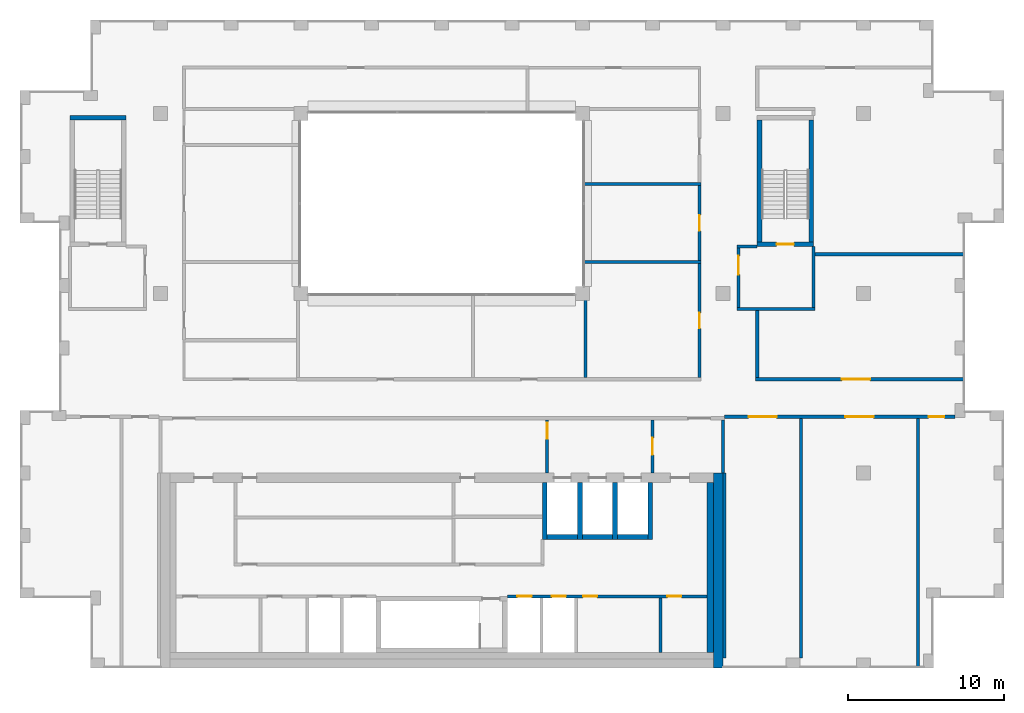
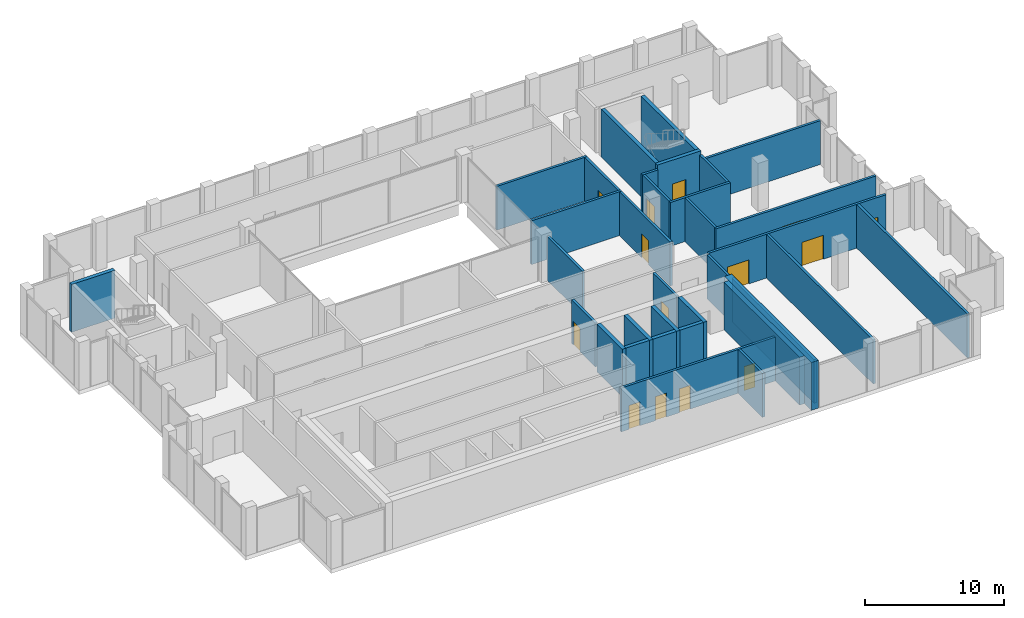
# One storey, part 12 of 15: 34 walls, 14 doors, 14 openings.
"""IFC4 building model written with IfcOpenShell, lengths in metres."""

from ifc_helpers import new_model, si_unit, direction, frame, frame_2d, origin, place, context, subcontext, project, spatial, rectangle, extrude, material, layer, layer_set, type_object, element, fill, save


model = new_model("IFC4")

# Units and contexts
model_context = context("Model", 3, precision=1e-05, world=origin(), true_north=direction((0.0, 1.0)))
body_context = subcontext(model_context, "Body", "Model", "MODEL_VIEW")
ifc_project = project(units=[si_unit("LENGTHUNIT", "METRE"), si_unit("AREAUNIT", "SQUARE_METRE"), si_unit("VOLUMEUNIT", "CUBIC_METRE"), si_unit("PLANEANGLEUNIT", "RADIAN"), si_unit("MASSUNIT", "GRAM", prefix="KILO")], contexts=[model_context])

# Site, building, storey
site_placement = place(None, origin())
site = spatial("IfcSite", under=ifc_project, at=site_placement, CompositionType="ELEMENT")
building_placement = place(site_placement, origin())
building = spatial("IfcBuilding", under=site, at=building_placement, Name="Brigalow Station Residences", CompositionType="ELEMENT")
storey_placement = place(building_placement, frame((0.0, 0.0, 240.0)))
storey = spatial("IfcBuildingStorey", under=building, at=storey_placement, Name="L69", CompositionType="ELEMENT", Elevation=240.0)

# Walls
ifc_material_1 = material(Name="Concrete C50", Category="concrete")
ifc_layer_1 = layer(ifc_material_1, 0.300048828125)
ifc_layer_set_1 = layer_set([ifc_layer_1], Name="CORE SHEAR WALL 300 C50")
wall_type_1 = type_object("IfcWallType", Name="CORE SHEAR WALL 300 C50", PredefinedType="SHEAR", material=ifc_layer_set_1)
wall_1_placement = place(storey_placement, frame((42.75, 8.39990234375, 0.0), z_axis=(0.0, 0.0, 1.0), x_axis=(1.0, 0.0, 0.0)))
element("IfcWall", 1, at=wall_1_placement, inside=storey, type_object=wall_type_1, Name="CORE WALL SH-FF1-S L69", PredefinedType="SHEAR", context=body_context, shape_type="SweptSolid", body=[
    extrude(rectangle(XDim=1.949951171875, YDim=0.300048828125, at=frame_2d((0.97509765625, 0.0))), origin(), (0.0, 0.0, 1.0), 4.199951171875),
])
wall_2_placement = place(storey_placement, frame((42.60009765625, 8.25, 0.0), z_axis=(0.0, 0.0, 1.0), x_axis=(0.0, 1.0, 0.0)))
element("IfcWall", 2, at=wall_2_placement, inside=storey, type_object=wall_type_1, Name="CORE WALL SH-FF1-W L69", PredefinedType="SHEAR", context=body_context, shape_type="SweptSolid", body=[
    extrude(rectangle(XDim=3.64990234375, YDim=0.300048828125, at=frame_2d((1.824951171875, 0.0))), origin(), (0.0, 0.0, 1.0), 4.199951171875),
])
wall_3_placement = place(storey_placement, frame((45.0, 8.39990234375, 0.0), z_axis=(0.0, 0.0, 1.0), x_axis=(1.0, 0.0, 0.0)))
element("IfcWall", 3, at=wall_3_placement, inside=storey, type_object=wall_type_1, Name="CORE WALL SH-FF2-S L69", PredefinedType="SHEAR", context=body_context, shape_type="SweptSolid", body=[
    extrude(rectangle(XDim=1.949951171875, YDim=0.300048828125, at=frame_2d((0.97509765625, 0.0))), origin(), (0.0, 0.0, 1.0), 4.199951171875),
])
wall_4_placement = place(storey_placement, frame((44.85009765625, 8.25, 0.0), z_axis=(0.0, 0.0, 1.0), x_axis=(0.0, 1.0, 0.0)))
element("IfcWall", 4, at=wall_4_placement, inside=storey, type_object=wall_type_1, Name="CORE WALL SH-FF2-W L69", PredefinedType="SHEAR", context=body_context, shape_type="SweptSolid", body=[
    extrude(rectangle(XDim=3.64990234375, YDim=0.300048828125, at=frame_2d((1.824951171875, 0.0))), origin(), (0.0, 0.0, 1.0), 4.199951171875),
])
wall_5_placement = place(storey_placement, frame((47.25, 8.39990234375, 0.0), z_axis=(0.0, 0.0, 1.0), x_axis=(1.0, 0.0, 0.0)))
element("IfcWall", 5, at=wall_5_placement, inside=storey, type_object=wall_type_1, Name="CORE WALL SH-SL1-S L69", PredefinedType="SHEAR", context=body_context, shape_type="SweptSolid", body=[
    extrude(rectangle(XDim=1.949951171875, YDim=0.300048828125, at=frame_2d((0.97509765625, 0.0))), origin(), (0.0, 0.0, 1.0), 4.199951171875),
])
for number, where, z_axis, x_axis, name in (
    (6, (47.10009765625, 8.25, 0.0), (0.0, 0.0, 1.0), (0.0, 1.0, 0.0), "CORE WALL SH-SL1-W L69"),
    (7, (49.35009765625, 8.25, 0.0), (0.0, 0.0, 1.0), (0.0, 1.0, 0.0), "CORE WALL SH-SL1-E L69"),
):
    element("IfcWall", number, at=place(storey_placement, frame(where, z_axis=z_axis, x_axis=x_axis)), inside=storey, type_object=wall_type_1, Name=name, PredefinedType="SHEAR", context=body_context, shape_type="SweptSolid", body=[
        extrude(rectangle(XDim=3.64990234375, YDim=0.300048828125, at=frame_2d((1.824951171875, 0.0))), origin(), (0.0, 0.0, 1.0), 4.199951171875),
    ])
wall_6_placement = place(storey_placement, frame((12.199951171875, 35.25, 0.0), z_axis=(0.0, 0.0, 1.0), x_axis=(1.0, 0.0, 0.0)))
element("IfcWall", 8, at=wall_6_placement, inside=storey, type_object=wall_type_1, Name="CORE WALL ST-S1-N L69", PredefinedType="SHEAR", context=body_context, shape_type="SweptSolid", body=[
    extrude(rectangle(XDim=3.60009765625, YDim=0.300048828125, at=frame_2d((1.800048828125, 0.0))), origin(), (0.0, 0.0, 1.0), 4.199951171875),
])

# Wall, opening, door
wall_7_placement = place(storey_placement, frame((56.199951171875, 27.14990234375, 0.0), z_axis=(0.0, 0.0, 1.0), x_axis=(1.0, 0.0, 0.0)))
wall_7 = element("IfcWall", 9, at=wall_7_placement, inside=storey, type_object=wall_type_1, Name="CORE WALL ST-S3-S L69", PredefinedType="SHEAR", context=body_context, shape_type="SweptSolid", body=[
    extrude(rectangle(XDim=3.60009765625, YDim=0.300048828125, at=frame_2d((1.800048828125, 0.0))), origin(), (0.0, 0.0, 1.0), 4.199951171875),
])
opening_1_placement = place(wall_7_placement, frame((1.25, 0.0, 0.0)))
opening_1 = element("IfcOpeningElement", 10, at=opening_1_placement, cuts=wall_7, Name="Opening D-5018", PredefinedType="OPENING", context=body_context, shape_type="SweptSolid", body=[
    extrude(rectangle(XDim=1.10009765625, YDim=2.10009765625, at=frame_2d((0.550048828125, 1.050048828125))), frame((0.0, 0.16015625, 0.0), z_axis=(0.0, -1.0, 0.0), x_axis=(1.0, 0.0, 0.0)), (0.0, 0.0, 1.0), 0.320068359375),
])
ifc_material_2 = material(Name="Steel fire door leaf in steel frame", Category="steel")
door_type_1 = type_object("IfcDoorType", Name="STAIR DOOR 1100 x 2100 FD60S", OperationType="SINGLE_SWING_LEFT", PredefinedType="DOOR", material=ifc_material_2)
door_1_placement = place(opening_1_placement, origin())
door_1 = element("IfcDoor", 11, at=door_1_placement, inside=storey, type_object=door_type_1, Name="D-5018", OperationType="SINGLE_SWING_RIGHT", OverallHeight=2.10009765625, OverallWidth=1.10009765625, PredefinedType="DOOR", context=body_context, shape_type="SweptSolid", body=[
    extrude(rectangle(XDim=1.10009765625, YDim=2.10009765625, at=frame_2d((0.550048828125, 1.050048828125))), frame((0.0, 0.02490234375, 0.0), z_axis=(0.0, -1.0, 0.0), x_axis=(1.0, 0.0, 0.0)), (0.0, 0.0, 1.0), 0.050048828125),
])
fill(opening_1, door_1)

# Walls
for number, where, z_axis, x_axis, name in (
    (12, (56.35009765625, 27.300048828125, 0.0), (0.0, 0.0, 1.0), (0.0, 1.0, 0.0), "CORE WALL ST-S3-W L69"),
    (13, (59.64990234375, 27.300048828125, 0.0), (0.0, 0.0, 1.0), (0.0, 1.0, 0.0), "CORE WALL ST-S3-E L69"),
):
    element("IfcWall", number, at=place(storey_placement, frame(where, z_axis=z_axis, x_axis=x_axis)), inside=storey, type_object=wall_type_1, Name=name, PredefinedType="SHEAR", context=body_context, shape_type="SweptSolid", body=[
        extrude(rectangle(XDim=7.800048828125, YDim=0.300048828125, at=frame_2d((3.89990234375, 0.0))), origin(), (0.0, 0.0, 1.0), 4.199951171875),
    ])
ifc_material_3 = material(Name="Concrete C50", Category="concrete")
ifc_layer_2 = layer(ifc_material_3, 0.39990234375)
ifc_layer_set_2 = layer_set([ifc_layer_2], Name="CORE SHEAR WALL 400 C50")
wall_type_2 = type_object("IfcWallType", Name="CORE SHEAR WALL 400 C50", PredefinedType="SHEAR", material=ifc_layer_set_2)
wall_8_placement = place(storey_placement, frame((53.199951171875, 1.0, 0.0), z_axis=(0.0, 0.0, 1.0), x_axis=(0.0, 1.0, 0.0)))
element("IfcWall", 14, at=wall_8_placement, inside=storey, type_object=wall_type_2, Name="CORE WALL LIN-E L69", PredefinedType="SHEAR", context=body_context, shape_type="SweptSolid", body=[
    extrude(rectangle(XDim=10.89990234375, YDim=0.39990234375, at=frame_2d((5.449951171875, 0.0))), origin(), (0.0, 0.0, 1.0), 4.199951171875),
])
ifc_material_4 = material(Name="Concrete C50", Category="concrete")
ifc_layer_3 = layer(ifc_material_4, 0.60009765625)
ifc_layer_set_3 = layer_set([ifc_layer_3], Name="CORE SHEAR WALL 600 C50")
wall_type_3 = type_object("IfcWallType", Name="CORE SHEAR WALL 600 C50", PredefinedType="SHEAR", material=ifc_layer_set_3)
wall_9_placement = place(storey_placement, frame((53.699951171875, 0.0, 0.0), z_axis=(0.0, 0.0, 1.0), x_axis=(0.0, 1.0, 0.0)))
element("IfcWall", 15, at=wall_9_placement, inside=storey, type_object=wall_type_3, Name="CORE WALL OUT-E L69", PredefinedType="SHEAR", context=body_context, shape_type="SweptSolid", body=[
    extrude(rectangle(XDim=12.5, YDim=0.60009765625, at=frame_2d((6.25, 0.0))), origin(), (0.0, 0.0, 1.0), 4.199951171875),
])

# Wall, openings, doors
ifc_material_5 = material(Name="Concrete blockwork", Category="masonry")
ifc_layer_4 = layer(ifc_material_5, 0.199951171875)
ifc_layer_set_4 = layer_set([ifc_layer_4], Name="FIRE RATED CORE PARTITION 200")
wall_type_4 = type_object("IfcWallType", Name="FIRE RATED CORE PARTITION 200", PredefinedType="PARTITIONING", material=ifc_layer_set_4)
wall_10_placement = place(storey_placement, frame((40.199951171875, 4.60009765625, 0.0), z_axis=(0.0, 0.0, 1.0), x_axis=(1.0, 0.0, 0.0)))
wall_10 = element("IfcWall", 16, at=wall_10_placement, inside=storey, type_object=wall_type_4, Name="PW-5002", PredefinedType="PARTITIONING", context=body_context, shape_type="SweptSolid", body=[
    extrude(rectangle(XDim=12.800048828125, YDim=0.199951171875, at=frame_2d((6.39990234375, 0.0))), origin(), (0.0, 0.0, 1.0), 3.85009765625),
])
opening_2_placement = place(wall_10_placement, frame((4.85009765625, 0.0, 0.0)))
opening_2 = element("IfcOpeningElement", 17, at=opening_2_placement, cuts=wall_10, Name="Opening D-5005", PredefinedType="OPENING", context=body_context, shape_type="SweptSolid", body=[
    extrude(rectangle(XDim=0.89990234375, YDim=2.10009765625, at=frame_2d((0.449951171875, 1.050048828125))), frame((0.0, 0.10986328125, 0.0), z_axis=(0.0, -1.0, 0.0), x_axis=(1.0, 0.0, 0.0)), (0.0, 0.0, 1.0), 0.219970703125),
])
opening_3_placement = place(wall_10_placement, frame((10.25, 0.0, 0.0)))
opening_3 = element("IfcOpeningElement", 18, at=opening_3_placement, cuts=wall_10, Name="Opening D-5166", PredefinedType="OPENING", context=body_context, shape_type="SweptSolid", body=[
    extrude(rectangle(XDim=0.89990234375, YDim=2.10009765625, at=frame_2d((0.449951171875, 1.050048828125))), frame((0.0, 0.10986328125, 0.0), z_axis=(0.0, -1.0, 0.0), x_axis=(1.0, 0.0, 0.0)), (0.0, 0.0, 1.0), 0.219970703125),
])
opening_4_placement = place(wall_10_placement, frame((0.64990234375, 0.0, 0.0)))
opening_4 = element("IfcOpeningElement", 19, at=opening_4_placement, cuts=wall_10, Name="Opening D-5009", PredefinedType="OPENING", context=body_context, shape_type="SweptSolid", body=[
    extrude(rectangle(XDim=0.89990234375, YDim=2.10009765625, at=frame_2d((0.449951171875, 1.050048828125))), frame((0.0, 0.10986328125, 0.0), z_axis=(0.0, -1.0, 0.0), x_axis=(1.0, 0.0, 0.0)), (0.0, 0.0, 1.0), 0.219970703125),
])
opening_5_placement = place(wall_10_placement, frame((2.85009765625, 0.0, 0.0)))
opening_5 = element("IfcOpeningElement", 20, at=opening_5_placement, cuts=wall_10, Name="Opening D-5010", PredefinedType="OPENING", context=body_context, shape_type="SweptSolid", body=[
    extrude(rectangle(XDim=0.89990234375, YDim=2.10009765625, at=frame_2d((0.449951171875, 1.050048828125))), frame((0.0, 0.10986328125, 0.0), z_axis=(0.0, -1.0, 0.0), x_axis=(1.0, 0.0, 0.0)), (0.0, 0.0, 1.0), 0.219970703125),
])
ifc_material_6 = material(Name="Steel fire door leaf in steel frame", Category="steel")
door_type_2 = type_object("IfcDoorType", Name="PLANT ROOM DOOR 900 x 2100 FD60", OperationType="SINGLE_SWING_LEFT", PredefinedType="DOOR", material=ifc_material_6)
door_2_placement = place(opening_2_placement, frame((0.89990234375, 0.0, 0.0), z_axis=(0.0, 0.0, 1.0), x_axis=(-1.0, 0.0, 0.0)))
door_2 = element("IfcDoor", 21, at=door_2_placement, inside=storey, type_object=door_type_2, Name="D-5005", OperationType="SINGLE_SWING_RIGHT", OverallHeight=2.10009765625, OverallWidth=0.89990234375, PredefinedType="DOOR", context=body_context, shape_type="SweptSolid", body=[
    extrude(rectangle(XDim=0.89990234375, YDim=2.10009765625, at=frame_2d((0.449951171875, 1.050048828125))), frame((0.0, 0.02490234375, 0.0), z_axis=(0.0, -1.0, 0.0), x_axis=(1.0, 0.0, 0.0)), (0.0, 0.0, 1.0), 0.050048828125),
])
fill(opening_2, door_2)
door_3_placement = place(opening_3_placement, frame((0.89990234375, 0.0, 0.0), z_axis=(0.0, 0.0, 1.0), x_axis=(-1.0, 0.0, 0.0)))
door_3 = element("IfcDoor", 22, at=door_3_placement, inside=storey, type_object=door_type_2, Name="D-5166", OperationType="SINGLE_SWING_RIGHT", OverallHeight=2.10009765625, OverallWidth=0.89990234375, PredefinedType="DOOR", context=body_context, shape_type="SweptSolid", body=[
    extrude(rectangle(XDim=0.89990234375, YDim=2.10009765625, at=frame_2d((0.449951171875, 1.050048828125))), frame((0.0, 0.02490234375, 0.0), z_axis=(0.0, -1.0, 0.0), x_axis=(1.0, 0.0, 0.0)), (0.0, 0.0, 1.0), 0.050048828125),
])
fill(opening_3, door_3)
ifc_material_7 = material(Name="Steel fire door leaf in steel frame", Category="steel")
door_type_3 = type_object("IfcDoorType", Name="RISER ACCESS DOOR 900 x 2100 FD120", OperationType="SINGLE_SWING_LEFT", PredefinedType="DOOR", material=ifc_material_7)
door_4_placement = place(opening_4_placement, frame((0.89990234375, 0.0, 0.0), z_axis=(0.0, 0.0, 1.0), x_axis=(-1.0, 0.0, 0.0)))
door_4 = element("IfcDoor", 23, at=door_4_placement, inside=storey, type_object=door_type_3, Name="D-5009", OperationType="SINGLE_SWING_LEFT", OverallHeight=2.10009765625, OverallWidth=0.89990234375, PredefinedType="DOOR", context=body_context, shape_type="SweptSolid", body=[
    extrude(rectangle(XDim=0.89990234375, YDim=2.10009765625, at=frame_2d((0.449951171875, 1.050048828125))), frame((0.0, 0.02490234375, 0.0), z_axis=(0.0, -1.0, 0.0), x_axis=(1.0, 0.0, 0.0)), (0.0, 0.0, 1.0), 0.050048828125),
])
fill(opening_4, door_4)
door_5_placement = place(opening_5_placement, frame((0.89990234375, 0.0, 0.0), z_axis=(0.0, 0.0, 1.0), x_axis=(-1.0, 0.0, 0.0)))
door_5 = element("IfcDoor", 24, at=door_5_placement, inside=storey, type_object=door_type_3, Name="D-5010", OperationType="SINGLE_SWING_RIGHT", OverallHeight=2.10009765625, OverallWidth=0.89990234375, PredefinedType="DOOR", context=body_context, shape_type="SweptSolid", body=[
    extrude(rectangle(XDim=0.89990234375, YDim=2.10009765625, at=frame_2d((0.449951171875, 1.050048828125))), frame((0.0, 0.02490234375, 0.0), z_axis=(0.0, -1.0, 0.0), x_axis=(1.0, 0.0, 0.0)), (0.0, 0.0, 1.0), 0.050048828125),
])
fill(opening_5, door_5)

# Walls
wall_11_placement = place(storey_placement, frame((54.89990234375, 23.0, 0.0), z_axis=(0.0, 0.0, 1.0), x_axis=(1.0, 0.0, 0.0)))
element("IfcWall", 25, at=wall_11_placement, inside=storey, type_object=wall_type_4, Name="PW-5024", PredefinedType="PARTITIONING", context=body_context, shape_type="SweptSolid", body=[
    extrude(rectangle(XDim=5.0, YDim=0.199951171875, at=frame_2d((2.5, 0.0))), origin(), (0.0, 0.0, 1.0), 3.85009765625),
])
wall_12_placement = place(storey_placement, frame((54.89990234375, 27.0, 0.0), z_axis=(0.0, 0.0, 1.0), x_axis=(1.0, 0.0, 0.0)))
element("IfcWall", 26, at=wall_12_placement, inside=storey, type_object=wall_type_4, Name="PW-5026", PredefinedType="PARTITIONING", context=body_context, shape_type="SweptSolid", body=[
    extrude(rectangle(XDim=1.300048828125, YDim=0.199951171875, at=frame_2d((0.64990234375, 0.0))), origin(), (0.0, 0.0, 1.0), 3.85009765625),
])
wall_13_placement = place(storey_placement, frame((50.0, 1.0, 0.0), z_axis=(0.0, 0.0, 1.0), x_axis=(0.0, 1.0, 0.0)))
element("IfcWall", 27, at=wall_13_placement, inside=storey, type_object=wall_type_4, Name="PW-5335", PredefinedType="PARTITIONING", context=body_context, shape_type="SweptSolid", body=[
    extrude(rectangle(XDim=3.5, YDim=0.199951171875, at=frame_2d((1.75, 0.0))), origin(), (0.0, 0.0, 1.0), 3.85009765625),
])

# Wall, opening, door
wall_14_placement = place(storey_placement, frame((42.75, 12.5, 0.0), z_axis=(0.0, 0.0, 1.0), x_axis=(0.0, 1.0, 0.0)))
wall_14 = element("IfcWall", 28, at=wall_14_placement, inside=storey, type_object=wall_type_4, Name="PW-5014", PredefinedType="PARTITIONING", context=body_context, shape_type="SweptSolid", body=[
    extrude(rectangle(XDim=3.39990234375, YDim=0.199951171875, at=frame_2d((1.699951171875, 0.0))), origin(), (0.0, 0.0, 1.0), 3.85009765625),
])
opening_6_placement = place(wall_14_placement, frame((2.199951171875, 0.0, 0.0)))
opening_6 = element("IfcOpeningElement", 29, at=opening_6_placement, cuts=wall_14, Name="Opening D-5013", PredefinedType="OPENING", context=body_context, shape_type="SweptSolid", body=[
    extrude(rectangle(XDim=1.0, YDim=2.10009765625, at=frame_2d((0.5, 1.050048828125))), frame((0.0, 0.10986328125, 0.0), z_axis=(0.0, -1.0, 0.0), x_axis=(1.0, 0.0, 0.0)), (0.0, 0.0, 1.0), 0.219970703125),
])
ifc_material_8 = material(Name="Steel fire door leaf in steel frame", Category="steel")
door_type_4 = type_object("IfcDoorType", Name="LOBBY DOOR 1000 x 2100 FD60S", OperationType="SINGLE_SWING_LEFT", PredefinedType="DOOR", material=ifc_material_8)
door_6_placement = place(opening_6_placement, origin())
door_6 = element("IfcDoor", 30, at=door_6_placement, inside=storey, type_object=door_type_4, Name="D-5013", OperationType="SINGLE_SWING_RIGHT", OverallHeight=2.10009765625, OverallWidth=1.0, PredefinedType="DOOR", context=body_context, shape_type="SweptSolid", body=[
    extrude(rectangle(XDim=1.0, YDim=2.10009765625, at=frame_2d((0.5, 1.050048828125))), frame((0.0, 0.02490234375, 0.0), z_axis=(0.0, -1.0, 0.0), x_axis=(1.0, 0.0, 0.0)), (0.0, 0.0, 1.0), 0.050048828125),
])
fill(opening_6, door_6)

wall_15_placement = place(storey_placement, frame((49.5, 12.5, 0.0), z_axis=(0.0, 0.0, 1.0), x_axis=(0.0, 1.0, 0.0)))
wall_15 = element("IfcWall", 31, at=wall_15_placement, inside=storey, type_object=wall_type_4, Name="PW-5015", PredefinedType="PARTITIONING", context=body_context, shape_type="SweptSolid", body=[
    extrude(rectangle(XDim=3.39990234375, YDim=0.199951171875, at=frame_2d((1.699951171875, 0.0))), origin(), (0.0, 0.0, 1.0), 3.85009765625),
])
opening_7_placement = place(wall_15_placement, frame((1.14990234375, 0.0, 0.0)))
opening_7 = element("IfcOpeningElement", 32, at=opening_7_placement, cuts=wall_15, Name="Opening D-5014", PredefinedType="OPENING", context=body_context, shape_type="SweptSolid", body=[
    extrude(rectangle(XDim=1.10009765625, YDim=2.10009765625, at=frame_2d((0.550048828125, 1.050048828125))), frame((0.0, 0.10986328125, 0.0), z_axis=(0.0, -1.0, 0.0), x_axis=(1.0, 0.0, 0.0)), (0.0, 0.0, 1.0), 0.219970703125),
])
ifc_material_9 = material(Name="Steel fire door leaf in steel frame", Category="steel")
door_type_5 = type_object("IfcDoorType", Name="LOBBY DOOR 1100 x 2100 FD60S", OperationType="SINGLE_SWING_LEFT", PredefinedType="DOOR", material=ifc_material_9)
door_7_placement = place(opening_7_placement, origin())
door_7 = element("IfcDoor", 33, at=door_7_placement, inside=storey, type_object=door_type_5, Name="D-5014", OperationType="SINGLE_SWING_RIGHT", OverallHeight=2.10009765625, OverallWidth=1.10009765625, PredefinedType="DOOR", context=body_context, shape_type="SweptSolid", body=[
    extrude(rectangle(XDim=1.10009765625, YDim=2.10009765625, at=frame_2d((0.550048828125, 1.050048828125))), frame((0.0, 0.02490234375, 0.0), z_axis=(0.0, -1.0, 0.0), x_axis=(1.0, 0.0, 0.0)), (0.0, 0.0, 1.0), 0.050048828125),
])
fill(opening_7, door_7)

# Wall
wall_16_placement = place(storey_placement, frame((54.0, 12.5, 0.0), z_axis=(0.0, 0.0, 1.0), x_axis=(0.0, 1.0, 0.0)))
element("IfcWall", 34, at=wall_16_placement, inside=storey, type_object=wall_type_4, Name="PW-5016", PredefinedType="PARTITIONING", context=body_context, shape_type="SweptSolid", body=[
    extrude(rectangle(XDim=3.39990234375, YDim=0.199951171875, at=frame_2d((1.699951171875, 0.0))), origin(), (0.0, 0.0, 1.0), 3.85009765625),
])

# Wall, opening, door
wall_17_placement = place(storey_placement, frame((55.0, 23.10009765625, 0.0), z_axis=(0.0, 0.0, 1.0), x_axis=(0.0, 1.0, 0.0)))
wall_17 = element("IfcWall", 35, at=wall_17_placement, inside=storey, type_object=wall_type_4, Name="PW-5036", PredefinedType="PARTITIONING", context=body_context, shape_type="SweptSolid", body=[
    extrude(rectangle(XDim=3.7998046875, YDim=0.199951171875, at=frame_2d((1.89990234375, 0.0))), origin(), (0.0, 0.0, 1.0), 3.85009765625),
])
opening_8_placement = place(wall_17_placement, frame((2.10009765625, 0.0, 0.0)))
opening_8 = element("IfcOpeningElement", 36, at=opening_8_placement, cuts=wall_17, Name="Opening D-5019", PredefinedType="OPENING", context=body_context, shape_type="SweptSolid", body=[
    extrude(rectangle(XDim=1.199951171875, YDim=2.10009765625, at=frame_2d((0.60009765625, 1.050048828125))), frame((0.0, 0.10986328125, 0.0), z_axis=(0.0, -1.0, 0.0), x_axis=(1.0, 0.0, 0.0)), (0.0, 0.0, 1.0), 0.219970703125),
])
ifc_material_10 = material(Name="Steel fire door leaf in steel frame", Category="steel")
door_type_6 = type_object("IfcDoorType", Name="STAIR LOBBY DOOR 1200 x 2100 FD60S", OperationType="SINGLE_SWING_LEFT", PredefinedType="DOOR", material=ifc_material_10)
door_8_placement = place(opening_8_placement, origin())
door_8 = element("IfcDoor", 37, at=door_8_placement, inside=storey, type_object=door_type_6, Name="D-5019", OperationType="SINGLE_SWING_LEFT", OverallHeight=2.10009765625, OverallWidth=1.199951171875, PredefinedType="DOOR", context=body_context, shape_type="SweptSolid", body=[
    extrude(rectangle(XDim=1.199951171875, YDim=2.10009765625, at=frame_2d((0.60009765625, 1.050048828125))), frame((0.0, 0.02490234375, 0.0), z_axis=(0.0, -1.0, 0.0), x_axis=(1.0, 0.0, 0.0)), (0.0, 0.0, 1.0), 0.050048828125),
])
fill(opening_8, door_8)

# Wall
wall_18_placement = place(storey_placement, frame((59.800048828125, 23.10009765625, 0.0), z_axis=(0.0, 0.0, 1.0), x_axis=(0.0, 1.0, 0.0)))
element("IfcWall", 38, at=wall_18_placement, inside=storey, type_object=wall_type_4, Name="PW-5037", PredefinedType="PARTITIONING", context=body_context, shape_type="SweptSolid", body=[
    extrude(rectangle(XDim=3.89990234375, YDim=0.199951171875, at=frame_2d((1.949951171875, 0.0))), origin(), (0.0, 0.0, 1.0), 3.85009765625),
])

# Wall, openings, doors
wall_19_placement = place(storey_placement, frame((54.10009765625, 16.10009765625, 0.0), z_axis=(0.0, 0.0, 1.0), x_axis=(1.0, 0.0, 0.0)))
wall_19 = element("IfcWall", 39, at=wall_19_placement, inside=storey, type_object=wall_type_4, Name="PW-5300", PredefinedType="PARTITIONING", context=body_context, shape_type="SweptSolid", body=[
    extrude(rectangle(XDim=14.75, YDim=0.199951171875, at=frame_2d((7.375, 0.0))), origin(), (0.0, 0.0, 1.0), 3.85009765625),
])
opening_9_placement = place(wall_19_placement, frame((1.550048828125, 0.0, 0.0)))
opening_9 = element("IfcOpeningElement", 40, at=opening_9_placement, cuts=wall_19, Name="Opening D-5168", PredefinedType="OPENING", context=body_context, shape_type="SweptSolid", body=[
    extrude(rectangle(XDim=1.800048828125, YDim=2.10009765625, at=frame_2d((0.89990234375, 1.050048828125))), frame((0.0, 0.10986328125, 0.0), z_axis=(0.0, -1.0, 0.0), x_axis=(1.0, 0.0, 0.0)), (0.0, 0.0, 1.0), 0.219970703125),
])
opening_10_placement = place(wall_19_placement, frame((7.75, 0.0, 0.0)))
opening_10 = element("IfcOpeningElement", 41, at=opening_10_placement, cuts=wall_19, Name="Opening D-5169", PredefinedType="OPENING", context=body_context, shape_type="SweptSolid", body=[
    extrude(rectangle(XDim=1.800048828125, YDim=2.10009765625, at=frame_2d((0.89990234375, 1.050048828125))), frame((0.0, 0.10986328125, 0.0), z_axis=(0.0, -1.0, 0.0), x_axis=(1.0, 0.0, 0.0)), (0.0, 0.0, 1.0), 0.219970703125),
])
opening_11_placement = place(wall_19_placement, frame((13.074951171875, 0.0, 0.0)))
opening_11 = element("IfcOpeningElement", 42, at=opening_11_placement, cuts=wall_19, Name="Opening D-5152", PredefinedType="OPENING", context=body_context, shape_type="SweptSolid", body=[
    extrude(rectangle(XDim=1.0, YDim=2.10009765625, at=frame_2d((0.5, 1.050048828125))), frame((0.0, 0.10986328125, 0.0), z_axis=(0.0, -1.0, 0.0), x_axis=(1.0, 0.0, 0.0)), (0.0, 0.0, 1.0), 0.219970703125),
])
ifc_material_11 = material(Name="Steel fire door leaf in steel frame", Category="steel")
door_type_7 = type_object("IfcDoorType", Name="PLANT ROOM DOOR 1000 x 2100 FD60", OperationType="SINGLE_SWING_LEFT", PredefinedType="DOOR", material=ifc_material_11)
door_9_placement = place(opening_11_placement, frame((1.0, 0.0, 0.0), z_axis=(0.0, 0.0, 1.0), x_axis=(-1.0, 0.0, 0.0)))
door_9 = element("IfcDoor", 43, at=door_9_placement, inside=storey, type_object=door_type_7, Name="D-5152", OperationType="SINGLE_SWING_RIGHT", OverallHeight=2.10009765625, OverallWidth=1.0, PredefinedType="DOOR", context=body_context, shape_type="SweptSolid", body=[
    extrude(rectangle(XDim=1.0, YDim=2.10009765625, at=frame_2d((0.5, 1.050048828125))), frame((0.0, 0.02490234375, 0.0), z_axis=(0.0, -1.0, 0.0), x_axis=(1.0, 0.0, 0.0)), (0.0, 0.0, 1.0), 0.050048828125),
])
fill(opening_11, door_9)
ifc_material_12 = material(Name="Steel fire door leaf in steel frame", Category="steel")
door_type_8 = type_object("IfcDoorType", Name="PLANT ROOM DOOR 1800 x 2100 FD60", OperationType="DOUBLE_DOOR_SINGLE_SWING", PredefinedType="DOOR", material=ifc_material_12)
door_10_placement = place(opening_9_placement, frame((1.800048828125, 0.0, 0.0), z_axis=(0.0, 0.0, 1.0), x_axis=(-1.0, 0.0, 0.0)))
door_10 = element("IfcDoor", 44, at=door_10_placement, inside=storey, type_object=door_type_8, Name="D-5168", OperationType="DOUBLE_DOOR_SINGLE_SWING", OverallHeight=2.10009765625, OverallWidth=1.800048828125, PredefinedType="DOOR", context=body_context, shape_type="SweptSolid", body=[
    extrude(rectangle(XDim=1.800048828125, YDim=2.10009765625, at=frame_2d((0.89990234375, 1.050048828125))), frame((0.0, 0.02490234375, 0.0), z_axis=(0.0, -1.0, 0.0), x_axis=(1.0, 0.0, 0.0)), (0.0, 0.0, 1.0), 0.050048828125),
])
fill(opening_9, door_10)
door_11_placement = place(opening_10_placement, frame((1.800048828125, 0.0, 0.0), z_axis=(0.0, 0.0, 1.0), x_axis=(-1.0, 0.0, 0.0)))
door_11 = element("IfcDoor", 45, at=door_11_placement, inside=storey, type_object=door_type_8, Name="D-5169", OperationType="DOUBLE_DOOR_SINGLE_SWING", OverallHeight=2.10009765625, OverallWidth=1.800048828125, PredefinedType="DOOR", context=body_context, shape_type="SweptSolid", body=[
    extrude(rectangle(XDim=1.800048828125, YDim=2.10009765625, at=frame_2d((0.89990234375, 1.050048828125))), frame((0.0, 0.02490234375, 0.0), z_axis=(0.0, -1.0, 0.0), x_axis=(1.0, 0.0, 0.0)), (0.0, 0.0, 1.0), 0.050048828125),
])
fill(opening_10, door_11)

# Wall, opening, door
wall_20_placement = place(storey_placement, frame((56.10009765625, 18.5, 0.0), z_axis=(0.0, 0.0, 1.0), x_axis=(1.0, 0.0, 0.0)))
wall_20 = element("IfcWall", 46, at=wall_20_placement, inside=storey, type_object=wall_type_4, Name="PW-5302", PredefinedType="PARTITIONING", context=body_context, shape_type="SweptSolid", body=[
    extrude(rectangle(XDim=13.306884765625, YDim=0.199951171875, at=frame_2d((6.6533203125, 0.0))), origin(), (0.0, 0.0, 1.0), 3.85009765625),
])
opening_12_placement = place(wall_20_placement, frame((5.52490234375, 0.0, 0.0)))
opening_12 = element("IfcOpeningElement", 47, at=opening_12_placement, cuts=wall_20, Name="Opening D-5161", PredefinedType="OPENING", context=body_context, shape_type="SweptSolid", body=[
    extrude(rectangle(XDim=1.800048828125, YDim=2.10009765625, at=frame_2d((0.89990234375, 1.050048828125))), frame((0.0, 0.10986328125, 0.0), z_axis=(0.0, -1.0, 0.0), x_axis=(1.0, 0.0, 0.0)), (0.0, 0.0, 1.0), 0.219970703125),
])
door_12_placement = place(opening_12_placement, origin())
door_12 = element("IfcDoor", 48, at=door_12_placement, inside=storey, type_object=door_type_8, Name="D-5161", OperationType="DOUBLE_DOOR_SINGLE_SWING", OverallHeight=2.10009765625, OverallWidth=1.800048828125, PredefinedType="DOOR", context=body_context, shape_type="SweptSolid", body=[
    extrude(rectangle(XDim=1.800048828125, YDim=2.10009765625, at=frame_2d((0.89990234375, 1.050048828125))), frame((0.0, 0.02490234375, 0.0), z_axis=(0.0, -1.0, 0.0), x_axis=(1.0, 0.0, 0.0)), (0.0, 0.0, 1.0), 0.050048828125),
])
fill(opening_12, door_12)

# Walls
wall_21_placement = place(storey_placement, frame((45.095947265625, 26.0, 0.0), z_axis=(0.0, 0.0, 1.0), x_axis=(1.0, 0.0, 0.0)))
element("IfcWall", 49, at=wall_21_placement, inside=storey, type_object=wall_type_4, Name="PW-5306", PredefinedType="PARTITIONING", context=body_context, shape_type="SweptSolid", body=[
    extrude(rectangle(XDim=7.504150390625, YDim=0.199951171875, at=frame_2d((3.751953125, 0.0))), origin(), (0.0, 0.0, 1.0), 3.85009765625),
])
wall_22_placement = place(storey_placement, frame((59.89990234375, 26.5, 0.0), z_axis=(0.0, 0.0, 1.0), x_axis=(1.0, 0.0, 0.0)))
element("IfcWall", 50, at=wall_22_placement, inside=storey, type_object=wall_type_4, Name="PW-5338", PredefinedType="PARTITIONING", context=body_context, shape_type="SweptSolid", body=[
    extrude(rectangle(XDim=9.507080078125, YDim=0.199951171875, at=frame_2d((4.75341796875, 0.0))), origin(), (0.0, 0.0, 1.0), 3.85009765625),
])
wall_23_placement = place(storey_placement, frame((45.095947265625, 31.0, 0.0), z_axis=(0.0, 0.0, 1.0), x_axis=(1.0, 0.0, 0.0)))
element("IfcWall", 51, at=wall_23_placement, inside=storey, type_object=wall_type_4, Name="PW-5309", PredefinedType="PARTITIONING", context=body_context, shape_type="SweptSolid", body=[
    extrude(rectangle(XDim=7.504150390625, YDim=0.199951171875, at=frame_2d((3.751953125, 0.0))), origin(), (0.0, 0.0, 1.0), 3.85009765625),
])
wall_24_placement = place(storey_placement, frame((54.10009765625, 0.64990234375, 0.0), z_axis=(0.0, 0.0, 1.0), x_axis=(0.0, 1.0, 0.0)))
element("IfcWall", 52, at=wall_24_placement, inside=storey, type_object=wall_type_4, Name="PW-5318", PredefinedType="PARTITIONING", context=body_context, shape_type="SweptSolid", body=[
    extrude(rectangle(XDim=11.85009765625, YDim=0.199951171875, at=frame_2d((5.925048828125, 0.0))), origin(), (0.0, 0.0, 1.0), 3.85009765625),
])
wall_25_placement = place(storey_placement, frame((59.0, 0.64990234375, 0.0), z_axis=(0.0, 0.0, 1.0), x_axis=(0.0, 1.0, 0.0)))
element("IfcWall", 53, at=wall_25_placement, inside=storey, type_object=wall_type_4, Name="PW-5343", PredefinedType="PARTITIONING", context=body_context, shape_type="SweptSolid", body=[
    extrude(rectangle(XDim=15.35009765625, YDim=0.199951171875, at=frame_2d((7.675048828125, 0.0))), origin(), (0.0, 0.0, 1.0), 3.85009765625),
])
wall_26_placement = place(storey_placement, frame((66.5, 0.093017578125, 0.0), z_axis=(0.0, 0.0, 1.0), x_axis=(0.0, 1.0, 0.0)))
element("IfcWall", 54, at=wall_26_placement, inside=storey, type_object=wall_type_4, Name="PW-5320", PredefinedType="PARTITIONING", context=body_context, shape_type="SweptSolid", body=[
    extrude(rectangle(XDim=15.906982421875, YDim=0.199951171875, at=frame_2d((7.95361328125, 0.0))), origin(), (0.0, 0.0, 1.0), 3.85009765625),
])
wall_27_placement = place(storey_placement, frame((45.199951171875, 18.60009765625, 0.0), z_axis=(0.0, 0.0, 1.0), x_axis=(0.0, 1.0, 0.0)))
element("IfcWall", 55, at=wall_27_placement, inside=storey, type_object=wall_type_4, Name="PW-5322", PredefinedType="PARTITIONING", context=body_context, shape_type="SweptSolid", body=[
    extrude(rectangle(XDim=5.099853515625, YDim=0.199951171875, at=frame_2d((2.5498046875, 0.0))), origin(), (0.0, 0.0, 1.0), 3.85009765625),
])

# Wall, opening, door
wall_28_placement = place(storey_placement, frame((52.5, 18.60009765625, 0.0), z_axis=(0.0, 0.0, 1.0), x_axis=(0.0, 1.0, 0.0)))
wall_28 = element("IfcWall", 56, at=wall_28_placement, inside=storey, type_object=wall_type_4, Name="PW-5323", PredefinedType="PARTITIONING", context=body_context, shape_type="SweptSolid", body=[
    extrude(rectangle(XDim=7.2998046875, YDim=0.199951171875, at=frame_2d((3.64990234375, 0.0))), origin(), (0.0, 0.0, 1.0), 3.85009765625),
])
opening_13_placement = place(wall_28_placement, frame((3.14990234375, 0.0, 0.0)))
opening_13 = element("IfcOpeningElement", 57, at=opening_13_placement, cuts=wall_28, Name="Opening D-5157", PredefinedType="OPENING", context=body_context, shape_type="SweptSolid", body=[
    extrude(rectangle(XDim=1.0, YDim=2.10009765625, at=frame_2d((0.5, 1.050048828125))), frame((0.0, 0.10986328125, 0.0), z_axis=(0.0, -1.0, 0.0), x_axis=(1.0, 0.0, 0.0)), (0.0, 0.0, 1.0), 0.219970703125),
])
door_13_placement = place(opening_13_placement, origin())
door_13 = element("IfcDoor", 58, at=door_13_placement, inside=storey, type_object=door_type_7, Name="D-5157", OperationType="SINGLE_SWING_RIGHT", OverallHeight=2.10009765625, OverallWidth=1.0, PredefinedType="DOOR", context=body_context, shape_type="SweptSolid", body=[
    extrude(rectangle(XDim=1.0, YDim=2.10009765625, at=frame_2d((0.5, 1.050048828125))), frame((0.0, 0.02490234375, 0.0), z_axis=(0.0, -1.0, 0.0), x_axis=(1.0, 0.0, 0.0)), (0.0, 0.0, 1.0), 0.050048828125),
])
fill(opening_13, door_13)

# Wall
wall_29_placement = place(storey_placement, frame((56.199951171875, 18.60009765625, 0.0), z_axis=(0.0, 0.0, 1.0), x_axis=(0.0, 1.0, 0.0)))
element("IfcWall", 59, at=wall_29_placement, inside=storey, type_object=wall_type_4, Name="PW-5095", PredefinedType="PARTITIONING", context=body_context, shape_type="SweptSolid", body=[
    extrude(rectangle(XDim=4.2998046875, YDim=0.199951171875, at=frame_2d((2.14990234375, 0.0))), origin(), (0.0, 0.0, 1.0), 3.85009765625),
])

# Wall, opening, door
wall_30_placement = place(storey_placement, frame((52.5, 26.10009765625, 0.0), z_axis=(0.0, 0.0, 1.0), x_axis=(0.0, 1.0, 0.0)))
wall_30 = element("IfcWall", 60, at=wall_30_placement, inside=storey, type_object=wall_type_4, Name="PW-5326", PredefinedType="PARTITIONING", context=body_context, shape_type="SweptSolid", body=[
    extrude(rectangle(XDim=4.7998046875, YDim=0.199951171875, at=frame_2d((2.39990234375, 0.0))), origin(), (0.0, 0.0, 1.0), 3.85009765625),
])
opening_14_placement = place(wall_30_placement, frame((1.89990234375, 0.0, 0.0)))
opening_14 = element("IfcOpeningElement", 61, at=opening_14_placement, cuts=wall_30, Name="Opening D-5158", PredefinedType="OPENING", context=body_context, shape_type="SweptSolid", body=[
    extrude(rectangle(XDim=1.0, YDim=2.10009765625, at=frame_2d((0.5, 1.050048828125))), frame((0.0, 0.10986328125, 0.0), z_axis=(0.0, -1.0, 0.0), x_axis=(1.0, 0.0, 0.0)), (0.0, 0.0, 1.0), 0.219970703125),
])
door_14_placement = place(opening_14_placement, origin())
door_14 = element("IfcDoor", 62, at=door_14_placement, inside=storey, type_object=door_type_7, Name="D-5158", OperationType="SINGLE_SWING_LEFT", OverallHeight=2.10009765625, OverallWidth=1.0, PredefinedType="DOOR", context=body_context, shape_type="SweptSolid", body=[
    extrude(rectangle(XDim=1.0, YDim=2.10009765625, at=frame_2d((0.5, 1.050048828125))), frame((0.0, 0.02490234375, 0.0), z_axis=(0.0, -1.0, 0.0), x_axis=(1.0, 0.0, 0.0)), (0.0, 0.0, 1.0), 0.050048828125),
])
fill(opening_14, door_14)

save(model, "model.ifc")
